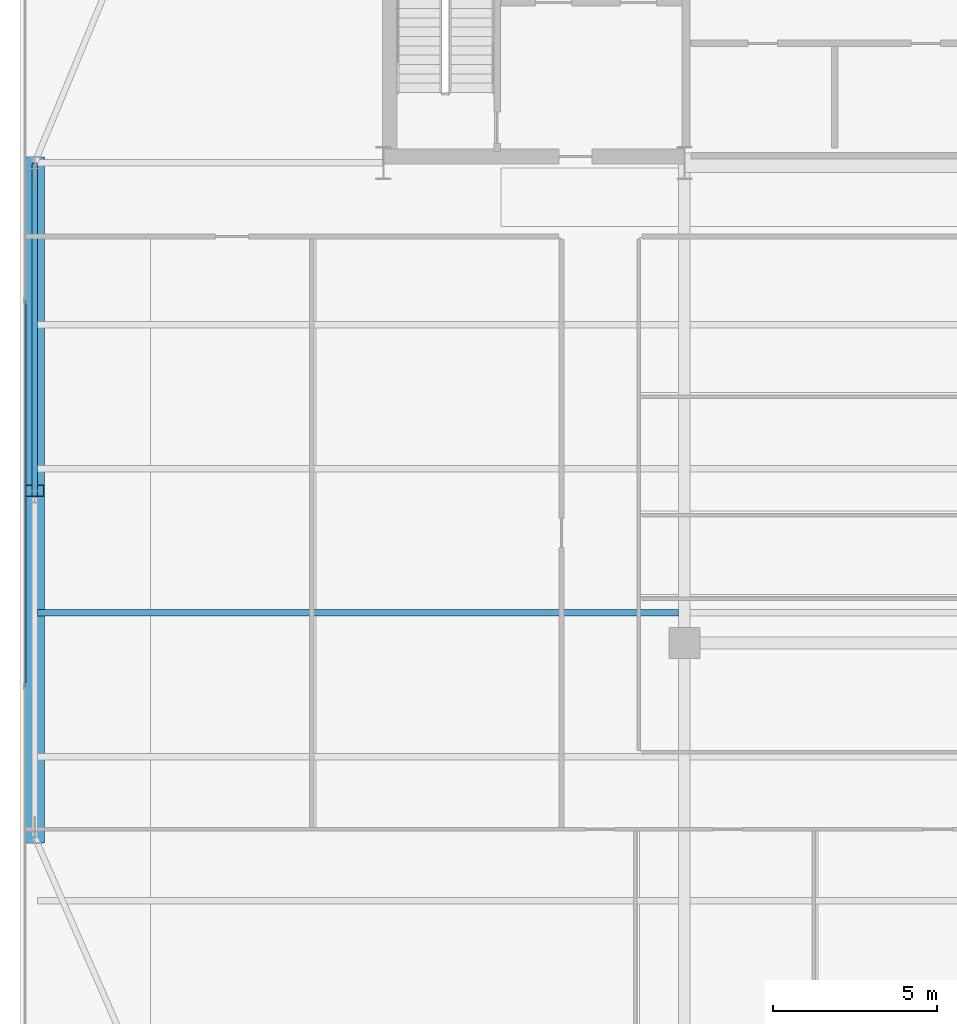
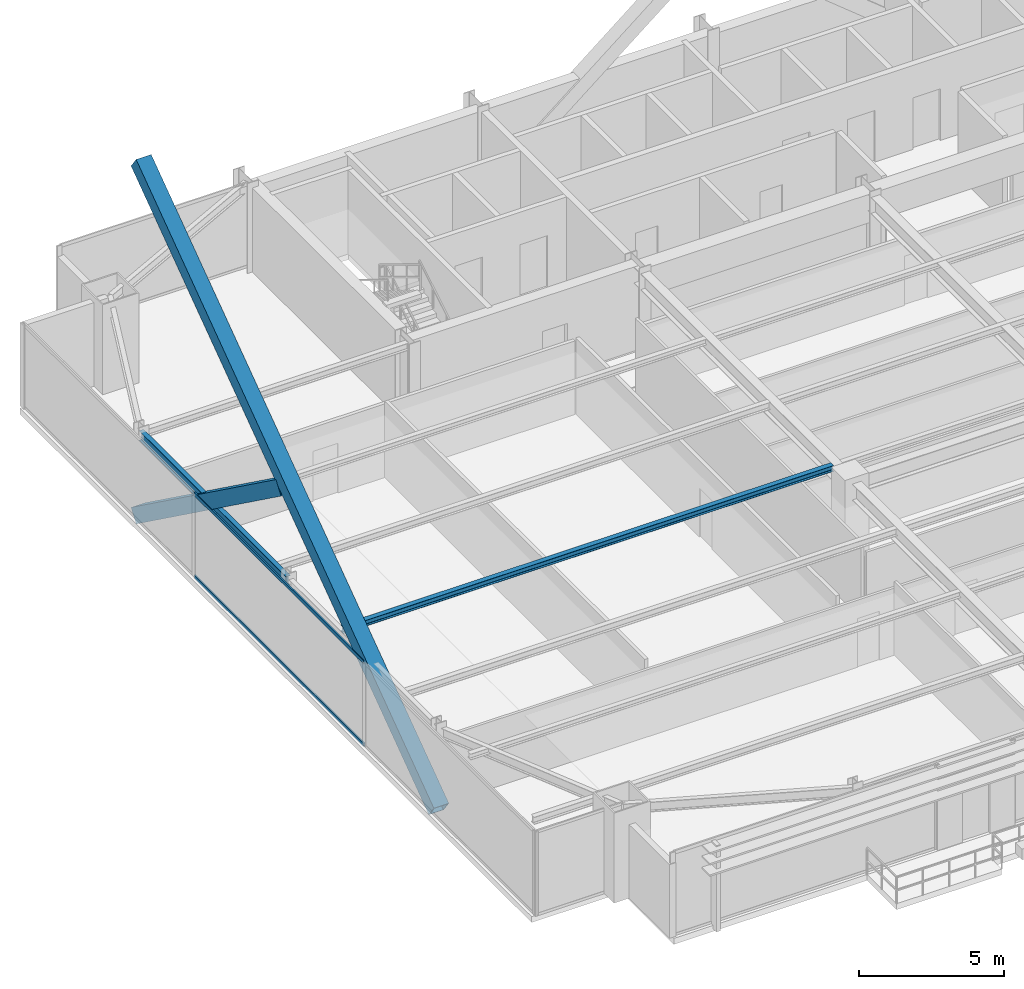
# One storey, part 10 of 37: 4 members, 2 beams, 1 element without a shape of its own.
"""IFC4 building model written with IfcOpenShell, lengths in metres."""

from ifc_helpers import new_model, si_unit, direction, frame, origin, origin_2d, place, context, subcontext, project, spatial, hollow_rectangle, i_section, extrude, source, transform, mapped, material, layer, layer_set, material_profile, profile_set, type_object, type_shapes, element, aggregate, save


model = new_model("IFC4")

# Units and contexts
model_context = context("Model", 3, precision=1e-05, world=origin(), true_north=direction((0.0, 1.0)))
body_context = subcontext(model_context, "Body", "Model", "MODEL_VIEW")
ifc_project = project(units=[si_unit("LENGTHUNIT", "METRE"), si_unit("AREAUNIT", "SQUARE_METRE"), si_unit("VOLUMEUNIT", "CUBIC_METRE"), si_unit("PLANEANGLEUNIT", "RADIAN"), si_unit("MASSUNIT", "GRAM", prefix="KILO")], contexts=[model_context])

# Site, building, storey
site_placement = place(None, origin())
site = spatial("IfcSite", under=ifc_project, at=site_placement, CompositionType="ELEMENT")
building_placement = place(site_placement, origin())
building = spatial("IfcBuilding", under=site, at=building_placement, Name="Varnel Quay Broadcast Tower", CompositionType="ELEMENT")
storey_placement = place(building_placement, frame((0.0, 0.0, 103.0)))
storey = spatial("IfcBuildingStorey", under=building, at=storey_placement, Name="L24", CompositionType="ELEMENT", Elevation=103.0)

# Beams
ifc_material_1 = material(Name="Structural Steel CSA G40.21 350W", Category="steel")
ifc_material_profile_1 = material_profile(ifc_material_1, i_section(OverallWidth=0.180908203125, OverallDepth=0.4169921875, WebThickness=0.010986328125, FlangeThickness=0.018310546875, FilletRadius=0.011962890625, at=origin_2d()), Name="W410X85")
ifc_profile_set_1 = profile_set([ifc_material_profile_1], Name="Structural Steel CSA G40.21 350W")
beam_type_1 = type_object("IfcBeamType", Name="Beam_W410X85", PredefinedType="SPANDREL", material=ifc_profile_set_1)
shared_shape_1 = source(origin(), body_context, "Body", "SweptSolid", [
    extrude(i_section(OverallWidth=0.180908203125, OverallDepth=0.4169921875, WebThickness=0.010986328125, FlangeThickness=0.018310546875, FilletRadius=0.011962890625, at=origin_2d()), origin(), (0.0, 0.0, 1.0), 10.16015625),
])
type_shapes(beam_type_1, [shared_shape_1])
beam_1_placement = place(storey_placement, frame((4.949951171875, 25.419921875, 3.341552734375), z_axis=(0.0, 1.0, 0.0), x_axis=(-1.0, 0.0, 0.0)))
element("IfcBeam", 1, at=beam_1_placement, inside=storey, type_object=beam_type_1, Name="L24 West Spandrel TC-W2-TC-W3", PredefinedType="SPANDREL", context=body_context, shape_type="MappedRepresentation", body=[
    mapped(shared_shape_1, transform((0.0, 0.0, 0.0), x_axis=(1.0, 0.0, 0.0), y_axis=(0.0, 1.0, 0.0), z_axis=(0.0, 0.0, 1.0), scale=1.0)),
])
ifc_material_profile_2 = material_profile(ifc_material_1, i_section(OverallWidth=0.201904296875, OverallDepth=0.2470703125, WebThickness=0.00732421875, FlangeThickness=0.010986328125, FilletRadius=0.010986328125, at=origin_2d()), Name="W250X49")
ifc_profile_set_2 = profile_set([ifc_material_profile_2], Name="Structural Steel CSA G40.21 350W")
beam_type_2 = type_object("IfcBeamType", Name="Beam_W250X49", PredefinedType="JOIST", material=ifc_profile_set_2)
shared_shape_2 = source(origin(), body_context, "Body", "SweptSolid", [
    extrude(i_section(OverallWidth=0.201904296875, OverallDepth=0.2470703125, WebThickness=0.00732421875, FlangeThickness=0.010986328125, FilletRadius=0.010986328125, at=origin_2d()), origin(), (0.0, 0.0, 1.0), 19.592041015625),
])
type_shapes(beam_type_2, [shared_shape_2])
beam_2_placement = place(storey_placement, frame((5.035400390625, 21.85009765625, 3.426513671875), z_axis=(1.0, 0.0, 0.0), x_axis=(0.0, 1.0, 0.0)))
element("IfcBeam", 2, at=beam_2_placement, inside=storey, type_object=beam_type_2, Name="L24 West Floor Joist 4", PredefinedType="JOIST", context=body_context, shape_type="MappedRepresentation", body=[
    mapped(shared_shape_2, transform((0.0, 0.0, 0.0), x_axis=(1.0, 0.0, 0.0), y_axis=(0.0, 1.0, 0.0), z_axis=(0.0, 0.0, 1.0), scale=1.0)),
])

# Members
ifc_material_2 = material(Name="Structural Steel CSA G40.21 350WT", Category="steel")
ifc_material_profile_3 = material_profile(ifc_material_2, hollow_rectangle(XDim=0.60009765625, YDim=0.60009765625, WallThickness=0.028076171875, at=origin_2d()), Name="BOX600X600X28")
ifc_profile_set_3 = profile_set([ifc_material_profile_3], Name="Structural Steel CSA G40.21 350WT")
member_type_1 = type_object("IfcMemberType", Name="Brace_BOX600X600X28", PredefinedType="BRACE", material=ifc_profile_set_3)
shared_shape_3 = source(origin(), body_context, "Body", "SweptSolid", [
    extrude(hollow_rectangle(XDim=0.60009765625, YDim=0.60009765625, WallThickness=0.028076171875, at=origin_2d()), origin(), (0.0, 0.0, 1.0), 25.4296875),
])
member_1_placement = place(storey_placement, frame((4.949951171875, 15.0, 0.02001953125), z_axis=(0.0, 0.810080334362, 0.586318899474), x_axis=(-1.0, 0.0, 0.0)))
element("IfcMember", 3, at=member_1_placement, inside=storey, type_object=member_type_1, Name="Zone 2 Mega-Brace W-FT2 Continuous Diag A", PredefinedType="BRACE", context=body_context, shape_type="MappedRepresentation", body=[
    mapped(shared_shape_3, transform((0.0, 0.0, 0.0), x_axis=(1.0, 0.0, 0.0), y_axis=(0.0, 1.0, 0.0), z_axis=(0.0, 0.0, 1.0), scale=1.0)),
])
shared_shape_4 = source(origin(), body_context, "Body", "SweptSolid", [
    extrude(hollow_rectangle(XDim=0.60009765625, YDim=0.60009765625, WallThickness=0.028076171875, at=origin_2d()), origin(), (0.0, 0.0, 1.0), 12.3740234375),
])
type_shapes(member_type_1, [shared_shape_3, shared_shape_4])
member_2_placement = place(storey_placement, frame((4.949951171875, 35.60009765625, 0.02001953125), z_axis=(0.0, -0.810079456088, 0.586320112928), x_axis=(1.0, 0.0, 0.0)))
element("IfcMember", 4, at=member_2_placement, inside=storey, type_object=member_type_1, Name="Zone 2 Mega-Brace W-FT2 Split Diag B1", PredefinedType="BRACE", context=body_context, shape_type="MappedRepresentation", body=[
    mapped(shared_shape_4, transform((0.0, 0.0, 0.0), x_axis=(1.0, 0.0, 0.0), y_axis=(0.0, 1.0, 0.0), z_axis=(0.0, 0.0, 1.0), scale=1.0)),
])

# Curtain wall, members
ifc_material_3 = material(Name="Anodised Bronze Aluminium 6063-T6", Category="aluminium")
ifc_layer = layer(ifc_material_3, 0.18994140625, Name="Anodised Bronze Aluminium 6063-T6")
ifc_layer_set = layer_set([ifc_layer], Name="Anodised Bronze Aluminium 6063-T6")
curtain_wall_type = type_object("IfcCurtainWallType", Name="CW_LowerTower", PredefinedType="NOTDEFINED", material=ifc_layer_set)
curtain_wall_placement = place(storey_placement, origin())
curtain_wall = element("IfcCurtainWall", 5, at=curtain_wall_placement, inside=storey, type_object=curtain_wall_type, Name="L24 West Unitised Curtain Wall", PredefinedType="NOTDEFINED")
ifc_material_profile_4 = material_profile(ifc_material_3, hollow_rectangle(XDim=0.06005859375, YDim=0.14501953125, WallThickness=0.00341796875, at=origin_2d()), Name="ALU60X145X3.5")
ifc_profile_set_4 = profile_set([ifc_material_profile_4], Name="Anodised Bronze Aluminium 6063-T6")
member_type_2 = type_object("IfcMemberType", Name="Tran_CWS-02", PredefinedType="USERDEFINED", material=ifc_profile_set_4)
shared_shape_5 = source(origin(), body_context, "Body", "SweptSolid", [
    extrude(hollow_rectangle(XDim=0.06005859375, YDim=0.14501953125, WallThickness=0.00341796875, at=origin_2d()), origin(), (0.0, 0.0, 1.0), 11.72998046875),
])
type_shapes(member_type_2, [shared_shape_5])
member_3_placement = place(storey_placement, frame((4.64990234375, 19.635009765625, 0.030029296875), z_axis=(0.0, 1.0, 0.0), x_axis=(-1.0, 0.0, 0.0)))
member_3 = element("IfcMember", 6, at=member_3_placement, type_object=member_type_2, Name="CWS-02 transom 2.1", ObjectType="TRANSOM", PredefinedType="USERDEFINED", context=body_context, shape_type="MappedRepresentation", body=[
    mapped(shared_shape_5, transform((0.0, 0.0, 0.0), x_axis=(1.0, 0.0, 0.0), y_axis=(0.0, 1.0, 0.0), z_axis=(0.0, 0.0, 1.0), scale=1.0)),
])
member_4_placement = place(storey_placement, frame((4.64990234375, 19.635009765625, 3.52001953125), z_axis=(0.0, 1.0, 0.0), x_axis=(-1.0, 0.0, 0.0)))
member_4 = element("IfcMember", 7, at=member_4_placement, type_object=member_type_2, Name="CWS-02 transom 2.2", ObjectType="TRANSOM", PredefinedType="USERDEFINED", context=body_context, shape_type="MappedRepresentation", body=[
    mapped(shared_shape_5, transform((0.0, 0.0, 0.0), x_axis=(1.0, 0.0, 0.0), y_axis=(0.0, 1.0, 0.0), z_axis=(0.0, 0.0, 1.0), scale=1.0)),
])
aggregate(curtain_wall, [member_3, member_4])

save(model, "model.ifc")
